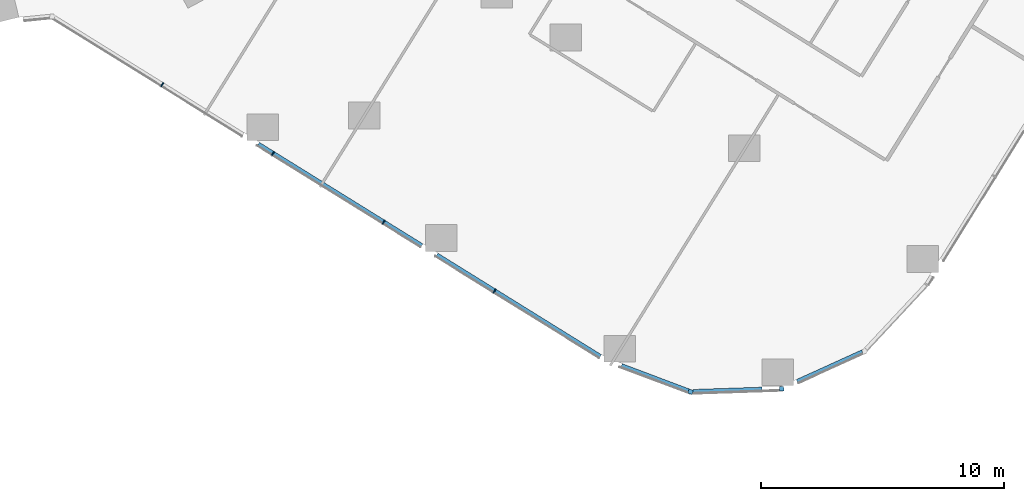
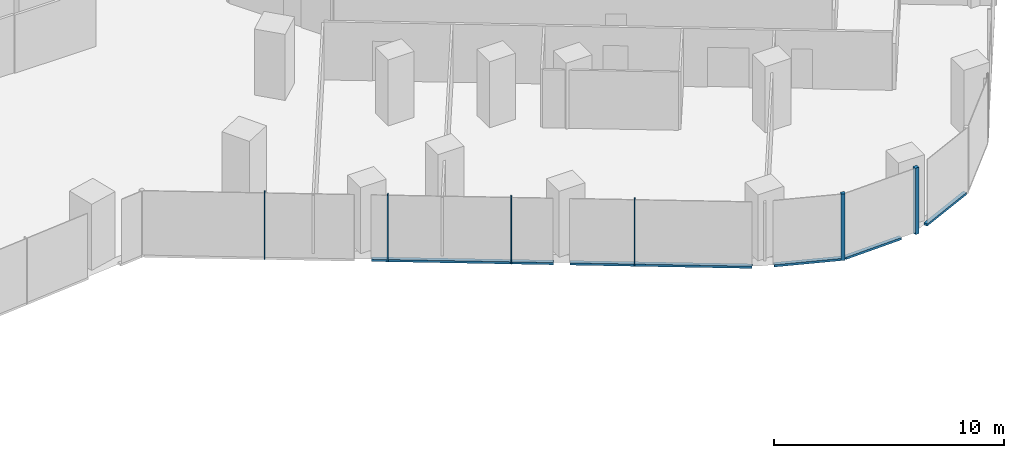
# One storey, part 7 of 33: 11 members, 4 elements without a shape of their own.
"""IFC4 building model written with IfcOpenShell, lengths in metres."""

from ifc_helpers import new_model, si_unit, direction, frame, origin, origin_2d, place, context, subcontext, project, spatial, rectangle, extrude, material, material_profile, profile_set, type_object, element, aggregate, save


model = new_model("IFC4")

# Units and contexts
model_context = context("Model", 3, precision=1e-05, world=origin(), true_north=direction((0.0, 1.0)))
body_context = subcontext(model_context, "Body", "Model", "MODEL_VIEW")
ifc_project = project(units=[si_unit("LENGTHUNIT", "METRE"), si_unit("AREAUNIT", "SQUARE_METRE"), si_unit("VOLUMEUNIT", "CUBIC_METRE"), si_unit("PLANEANGLEUNIT", "RADIAN"), si_unit("MASSUNIT", "GRAM", prefix="KILO")], contexts=[model_context])

# Site, building, storey
site_placement = place(None, origin())
site = spatial("IfcSite", under=ifc_project, at=site_placement, CompositionType="ELEMENT")
building_placement = place(site_placement, origin())
building = spatial("IfcBuilding", under=site, at=building_placement, Name="Orlundy Tower", CompositionType="ELEMENT")
storey_placement = place(building_placement, frame((0.0, 0.0, 51.300048828125)))
storey = spatial("IfcBuildingStorey", under=building, at=storey_placement, Name="L11", CompositionType="ELEMENT", Elevation=51.300048828125)

# Curtain wall, member
ifc_material_1 = material(Name="Aluminium bronze anodised", Category="aluminium")
curtain_wall_type = type_object("IfcCurtainWallType", Name="CW1 wall", PredefinedType="NOTDEFINED", material=ifc_material_1)
curtain_wall_1_placement = place(storey_placement, origin())
curtain_wall_1 = element("IfcCurtainWall", 1, at=curtain_wall_1_placement, inside=storey, type_object=curtain_wall_type, Name="CW1 run 014", PredefinedType="NOTDEFINED")
ifc_material_2 = material(Name="Aluminium bronze anodised", Category="aluminium")
ifc_material_profile_1 = material_profile(ifc_material_2, rectangle(XDim=0.179931640625, YDim=0.179931640625, at=origin_2d()), Name="CW1 corner post 180x180")
ifc_profile_set_1 = profile_set([ifc_material_profile_1], Name="Aluminium bronze anodised")
member_type_1 = type_object("IfcMemberType", Name="CW1 corner post 180x180", PredefinedType="MULLION", material=ifc_profile_set_1)
member_1_placement = place(storey_placement, frame((39.1259765625, -44.63232421875, -0.420166015625), z_axis=(0.0, 0.0, 1.0), x_axis=(0.033449557474, -0.99944040698, 0.0)))
member_1 = element("IfcMember", 2, at=member_1_placement, type_object=member_type_1, Name="CW1 mullion 42", PredefinedType="MULLION", context=body_context, shape_type="SweptSolid", body=[
    extrude(rectangle(XDim=0.179931640625, YDim=0.179931640625, at=origin_2d()), origin(), (0.0, 0.0, 1.0), 3.52001953125),
])

curtain_wall_2_placement = place(storey_placement, origin())
curtain_wall_2 = element("IfcCurtainWall", 3, at=curtain_wall_2_placement, inside=storey, type_object=curtain_wall_type, Name="CW1 run 015", PredefinedType="NOTDEFINED")
member_2_placement = place(storey_placement, frame((35.385009765625, -44.757568359375, -0.420166015625), z_axis=(0.0, 0.0, 1.0), x_axis=(-0.351537332791, -0.936173864009, 0.0)))
member_2 = element("IfcMember", 4, at=member_2_placement, type_object=member_type_1, Name="CW1 mullion 43", PredefinedType="MULLION", context=body_context, shape_type="SweptSolid", body=[
    extrude(rectangle(XDim=0.179931640625, YDim=0.179931640625, at=origin_2d()), origin(), (0.0, 0.0, 1.0), 3.52001953125),
])

# Curtain wall, members
curtain_wall_3_placement = place(storey_placement, origin())
curtain_wall_3 = element("IfcCurtainWall", 5, at=curtain_wall_3_placement, inside=storey, type_object=curtain_wall_type, Name="CW1 run 016", PredefinedType="NOTDEFINED")
ifc_material_3 = material(Name="Aluminium bronze anodised", Category="aluminium")
ifc_material_profile_2 = material_profile(ifc_material_3, rectangle(XDim=0.179931640625, YDim=0.050048828125, at=origin_2d()), Name="CW1 mullion 50x180")
ifc_profile_set_2 = profile_set([ifc_material_profile_2], Name="Aluminium bronze anodised")
member_type_2 = type_object("IfcMemberType", Name="CW1 mullion 50x180", PredefinedType="MULLION", material=ifc_profile_set_2)
member_3_placement = place(storey_placement, frame((27.33154296875, -40.614990234375, -0.420166015625), z_axis=(0.0, 0.0, 1.0), x_axis=(-0.52744929328, -0.849586512969, 0.0)))
member_3 = element("IfcMember", 6, at=member_3_placement, type_object=member_type_2, Name="CW1 mullion 45", PredefinedType="MULLION", context=body_context, shape_type="SweptSolid", body=[
    extrude(rectangle(XDim=0.179931640625, YDim=0.050048828125, at=origin_2d()), origin(), (0.0, 0.0, 1.0), 3.52001953125),
])
member_4_placement = place(storey_placement, frame((22.780517578125, -37.78955078125, -0.420166015625), z_axis=(0.0, 0.0, 1.0), x_axis=(-0.52744929328, -0.849586512969, 0.0)))
member_4 = element("IfcMember", 7, at=member_4_placement, type_object=member_type_2, Name="CW1 mullion 46", PredefinedType="MULLION", context=body_context, shape_type="SweptSolid", body=[
    extrude(rectangle(XDim=0.179931640625, YDim=0.050048828125, at=origin_2d()), origin(), (0.0, 0.0, 1.0), 3.52001953125),
])
member_5_placement = place(storey_placement, frame((18.2294921875, -34.96435546875, -0.420166015625), z_axis=(0.0, 0.0, 1.0), x_axis=(-0.52744929328, -0.849586512969, 0.0)))
member_5 = element("IfcMember", 8, at=member_5_placement, type_object=member_type_2, Name="CW1 mullion 47", PredefinedType="MULLION", context=body_context, shape_type="SweptSolid", body=[
    extrude(rectangle(XDim=0.179931640625, YDim=0.050048828125, at=origin_2d()), origin(), (0.0, 0.0, 1.0), 3.52001953125),
])
member_6_placement = place(storey_placement, frame((13.678466796875, -32.138916015625, -0.420166015625), z_axis=(0.0, 0.0, 1.0), x_axis=(-0.52744929328, -0.849586512969, 0.0)))
member_6 = element("IfcMember", 9, at=member_6_placement, type_object=member_type_2, Name="CW1 mullion 48", PredefinedType="MULLION", context=body_context, shape_type="SweptSolid", body=[
    extrude(rectangle(XDim=0.179931640625, YDim=0.050048828125, at=origin_2d()), origin(), (0.0, 0.0, 1.0), 3.52001953125),
])

# Curtain wall, member
curtain_wall_4_placement = place(storey_placement, origin())
curtain_wall_4 = element("IfcCurtainWall", 10, at=curtain_wall_4_placement, inside=storey, type_object=curtain_wall_type, Name="CW1 run 013", PredefinedType="NOTDEFINED")
ifc_material_4 = material(Name="Aluminium bronze anodised", Category="aluminium")
ifc_material_profile_3 = material_profile(ifc_material_4, rectangle(XDim=0.179931640625, YDim=0.1201171875, at=origin_2d()), Name="CW1 transom 180x120")
ifc_profile_set_3 = profile_set([ifc_material_profile_3], Name="Aluminium bronze anodised")
member_type_3 = type_object("IfcMemberType", Name="CW1 transom 180x120", PredefinedType="USERDEFINED", material=ifc_profile_set_3)
member_7_placement = place(storey_placement, frame((42.45166015625, -43.122802734375, -0.360107421875), z_axis=(-0.910596137733, -0.413297319064, 0.0), x_axis=(0.413297319064, -0.910596137733, 0.0)))
member_7 = element("IfcMember", 11, at=member_7_placement, type_object=member_type_3, Name="CW1 transom", ObjectType="TRANSOM", PredefinedType="USERDEFINED", context=body_context, shape_type="SweptSolid", body=[
    extrude(rectangle(XDim=0.179931640625, YDim=0.1201171875, at=origin_2d()), origin(), (0.0, 0.0, 1.0), 2.947021484375),
])
aggregate(curtain_wall_4, [member_7])

# Member
member_8_placement = place(storey_placement, frame((38.32958984375, -44.658935546875, -0.360107421875), z_axis=(-0.999438420186, -0.033508868315, 0.0), x_axis=(0.033508868315, -0.999438420186, 0.0)))
member_8 = element("IfcMember", 12, at=member_8_placement, type_object=member_type_3, Name="CW1 transom", ObjectType="TRANSOM", PredefinedType="USERDEFINED", context=body_context, shape_type="SweptSolid", body=[
    extrude(rectangle(XDim=0.179931640625, YDim=0.1201171875, at=origin_2d()), origin(), (0.0, 0.0, 1.0), 2.848876953125),
])

aggregate(curtain_wall_1, [member_1, member_8])

member_9_placement = place(storey_placement, frame((35.30078125, -44.725830078125, -0.360107421875), z_axis=(-0.9361721635, 0.35154186136, 0.0), x_axis=(-0.35154186136, -0.9361721635, 0.0)))
member_9 = element("IfcMember", 13, at=member_9_placement, type_object=member_type_3, Name="CW1 transom", ObjectType="TRANSOM", PredefinedType="USERDEFINED", context=body_context, shape_type="SweptSolid", body=[
    extrude(rectangle(XDim=0.179931640625, YDim=0.1201171875, at=origin_2d()), origin(), (0.0, 0.0, 1.0), 2.941162109375),
])

aggregate(curtain_wall_2, [member_2, member_9])

member_10_placement = place(storey_placement, frame((31.675048828125, -43.3115234375, -0.360107421875), z_axis=(-0.849597227848, 0.527432033947, 0.0), x_axis=(-0.527432033947, -0.849597227848, 0.0)))
member_10 = element("IfcMember", 14, at=member_10_placement, type_object=member_type_3, Name="CW1 transom", ObjectType="TRANSOM", PredefinedType="USERDEFINED", context=body_context, shape_type="SweptSolid", body=[
    extrude(rectangle(XDim=0.179931640625, YDim=0.1201171875, at=origin_2d()), origin(), (0.0, 0.0, 1.0), 7.906982421875),
])

member_11_placement = place(storey_placement, frame((24.339111328125, -38.75732421875, -0.360107421875), z_axis=(-0.849575259851, 0.527467418756, 0.0), x_axis=(-0.527467418756, -0.849575259851, 0.0)))
member_11 = element("IfcMember", 15, at=member_11_placement, type_object=member_type_3, Name="CW1 transom", ObjectType="TRANSOM", PredefinedType="USERDEFINED", context=body_context, shape_type="SweptSolid", body=[
    extrude(rectangle(XDim=0.179931640625, YDim=0.1201171875, at=origin_2d()), origin(), (0.0, 0.0, 1.0), 7.904541015625),
])

aggregate(curtain_wall_3, [member_3, member_4, member_5, member_6, member_10, member_11])

save(model, "model.ifc")
